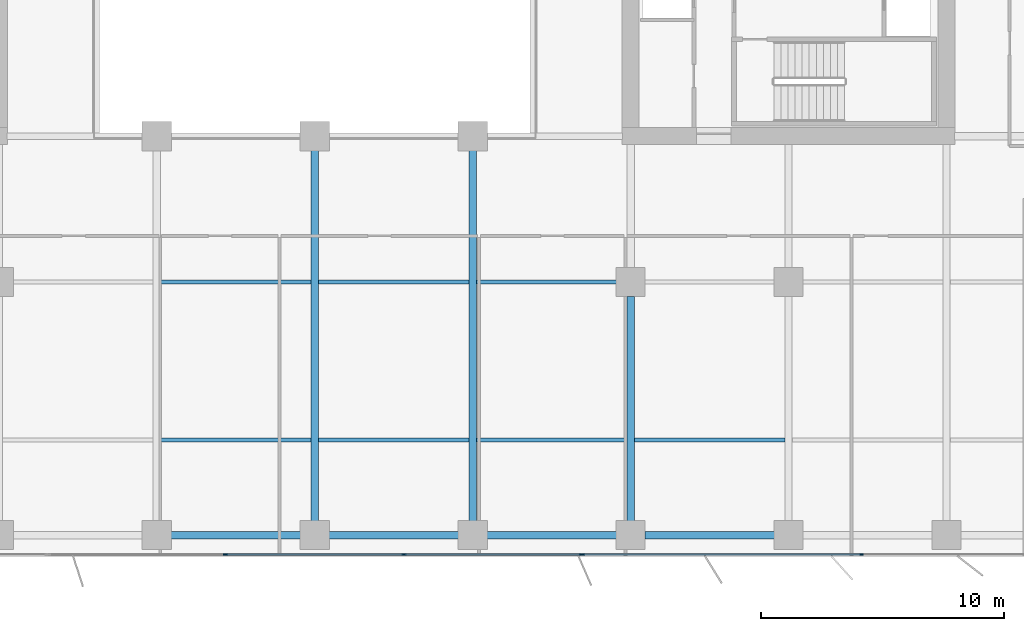
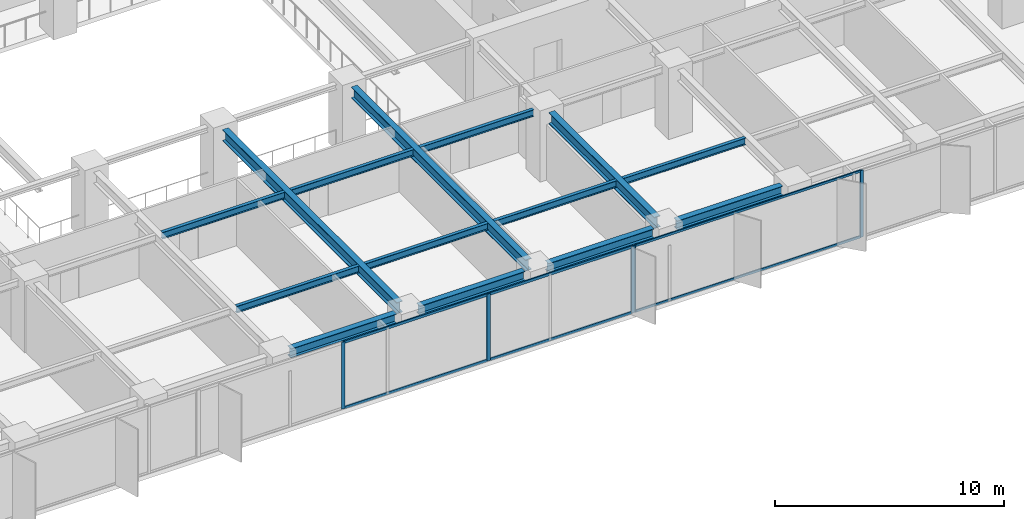
# One storey, part 5 of 20: 14 beams, 11 members, 2 elements without a shape of their own.
"""IFC4 building model written with IfcOpenShell, lengths in metres."""

from ifc_helpers import new_model, si_unit, direction, frame, origin, origin_2d, place, context, subcontext, project, spatial, rectangle, i_section, extrude, material, layer, layer_set, material_profile, profile_set, type_object, element, aggregate, save


model = new_model("IFC4")

# Units and contexts
model_context = context("Model", 3, precision=1e-05, world=origin(), true_north=direction((0.0, 1.0)))
body_context = subcontext(model_context, "Body", "Model", "MODEL_VIEW")
ifc_project = project(units=[si_unit("LENGTHUNIT", "METRE"), si_unit("AREAUNIT", "SQUARE_METRE"), si_unit("VOLUMEUNIT", "CUBIC_METRE"), si_unit("PLANEANGLEUNIT", "RADIAN"), si_unit("MASSUNIT", "GRAM", prefix="KILO")], contexts=[model_context])

# Site, building, storey
site_placement = place(None, origin())
site = spatial("IfcSite", under=ifc_project, at=site_placement, CompositionType="ELEMENT")
building_placement = place(site_placement, origin())
building = spatial("IfcBuilding", under=site, at=building_placement, Name="Putna Gate Headquarters", CompositionType="ELEMENT")
storey_placement = place(building_placement, frame((0.0, 0.0, 127.800048828125)))
storey = spatial("IfcBuildingStorey", under=building, at=storey_placement, Name="L31", CompositionType="ELEMENT", Elevation=127.800048828125)

# Beams
ifc_material_1 = material(Name="Steel S355J2", Category="steel")
ifc_material_profile_1 = material_profile(ifc_material_1, i_section(OverallWidth=0.300048828125, OverallDepth=0.60009765625, WebThickness=0.015380859375, FlangeThickness=0.030029296875, at=origin_2d()), Name="Steel S355J2")
ifc_profile_set_1 = profile_set([ifc_material_profile_1], Name="Steel S355J2")
beam_type_1 = type_object("IfcBeamType", Name="BM-GIRD-Z2-HEB600", PredefinedType="USERDEFINED", material=ifc_profile_set_1)
for number, where, z_axis, x_axis, name in (
    (1, (39.0, 3.16796875, 3.264892578125), (0.0, 1.0, 0.0), (-1.0, 0.0, 0.0), "L31 South Primary Girder X39"),
    (2, (45.5, 3.16796875, 3.264892578125), (0.0, 1.0, 0.0), (-1.0, 0.0, 0.0), "L31 South Primary Girder X45"),
):
    element("IfcBeam", number, at=place(storey_placement, frame(where, z_axis=z_axis, x_axis=x_axis)), inside=storey, type_object=beam_type_1, Name=name, ObjectType="GIRDER", PredefinedType="USERDEFINED", context=body_context, shape_type="SweptSolid", body=[
        extrude(i_section(OverallWidth=0.300048828125, OverallDepth=0.60009765625, WebThickness=0.015380859375, FlangeThickness=0.030029296875, at=origin_2d()), origin(), (0.0, 0.0, 1.0), 15.244140625),
    ])
beam_1_placement = place(storey_placement, frame((52.0, 3.16796875, 3.264892578125), z_axis=(0.0, 1.0, 0.0), x_axis=(-1.0, 0.0, 0.0)))
element("IfcBeam", 3, at=beam_1_placement, inside=storey, type_object=beam_type_1, Name="L31 South Primary Girder X52-1", ObjectType="GIRDER", PredefinedType="USERDEFINED", context=body_context, shape_type="SweptSolid", body=[
    extrude(i_section(OverallWidth=0.300048828125, OverallDepth=0.60009765625, WebThickness=0.015380859375, FlangeThickness=0.030029296875, at=origin_2d()), origin(), (0.0, 0.0, 1.0), 9.244140625),
])
ifc_material_profile_2 = material_profile(ifc_material_1, i_section(OverallWidth=0.169921875, OverallDepth=0.360107421875, WebThickness=0.008056640625, FlangeThickness=0.0126953125, at=origin_2d()), Name="Steel S355J2")
ifc_profile_set_2 = profile_set([ifc_material_profile_2], Name="Steel S355J2")
beam_type_2 = type_object("IfcBeamType", Name="BM-SEC-Z2-IPE360", PredefinedType="BEAM", material=ifc_profile_set_2)
for number, where, z_axis, x_axis, name in (
    (4, (32.654052734375, 6.5, 3.385009765625), (1.0, 0.0, 0.0), (0.0, 1.0, 0.0), "L31 South Secondary Beam 5"),
    (5, (32.654052734375, 13.0, 3.385009765625), (1.0, 0.0, 0.0), (0.0, 1.0, 0.0), "L31 South Secondary Beam 5"),
    (6, (39.154052734375, 6.5, 3.385009765625), (1.0, 0.0, 0.0), (0.0, 1.0, 0.0), "L31 South Secondary Beam 6"),
    (7, (39.154052734375, 13.0, 3.385009765625), (1.0, 0.0, 0.0), (0.0, 1.0, 0.0), "L31 South Secondary Beam 6"),
    (8, (45.654052734375, 6.5, 3.385009765625), (1.0, 0.0, 0.0), (0.0, 1.0, 0.0), "L31 South Secondary Beam 7"),
):
    element("IfcBeam", number, at=place(storey_placement, frame(where, z_axis=z_axis, x_axis=x_axis)), inside=storey, type_object=beam_type_2, Name=name, PredefinedType="BEAM", context=body_context, shape_type="SweptSolid", body=[
        extrude(i_section(OverallWidth=0.169921875, OverallDepth=0.360107421875, WebThickness=0.008056640625, FlangeThickness=0.0126953125, at=origin_2d()), origin(), (0.0, 0.0, 1.0), 6.19189453125),
    ])
beam_2_placement = place(storey_placement, frame((45.654052734375, 13.0, 3.385009765625), z_axis=(1.0, 0.0, 0.0), x_axis=(0.0, 1.0, 0.0)))
element("IfcBeam", 9, at=beam_2_placement, inside=storey, type_object=beam_type_2, Name="L31 South Secondary Beam 7", PredefinedType="BEAM", context=body_context, shape_type="SweptSolid", body=[
    extrude(i_section(OverallWidth=0.169921875, OverallDepth=0.360107421875, WebThickness=0.008056640625, FlangeThickness=0.0126953125, at=origin_2d()), origin(), (0.0, 0.0, 1.0), 5.758056640625),
])
beam_3_placement = place(storey_placement, frame((52.154052734375, 6.5, 3.385009765625), z_axis=(1.0, 0.0, 0.0), x_axis=(0.0, 1.0, 0.0)))
element("IfcBeam", 10, at=beam_3_placement, inside=storey, type_object=beam_type_2, Name="L31 South Secondary Beam 8", PredefinedType="BEAM", context=body_context, shape_type="SweptSolid", body=[
    extrude(i_section(OverallWidth=0.169921875, OverallDepth=0.360107421875, WebThickness=0.008056640625, FlangeThickness=0.0126953125, at=origin_2d()), origin(), (0.0, 0.0, 1.0), 6.19189453125),
])
ifc_material_profile_3 = material_profile(ifc_material_1, i_section(OverallWidth=0.300048828125, OverallDepth=0.489990234375, WebThickness=0.011962890625, FlangeThickness=0.02294921875, at=origin_2d()), Name="Steel S355J2")
ifc_profile_set_3 = profile_set([ifc_material_profile_3], Name="Steel S355J2")
beam_type_3 = type_object("IfcBeamType", Name="BM-SPAN-Z2-HEA500", PredefinedType="SPANDREL", material=ifc_profile_set_3)
for number, where, z_axis, x_axis, name in (
    (11, (33.087890625, 2.580078125, 3.320068359375), (1.0, 0.0, 0.0), (0.0, 1.0, 0.0), "L31 S Perimeter Spandrel 5"),
    (12, (39.587890625, 2.580078125, 3.320068359375), (1.0, 0.0, 0.0), (0.0, 1.0, 0.0), "L31 S Perimeter Spandrel 6"),
    (13, (46.087890625, 2.580078125, 3.320068359375), (1.0, 0.0, 0.0), (0.0, 1.0, 0.0), "L31 S Perimeter Spandrel 7"),
    (14, (52.587890625, 2.580078125, 3.320068359375), (1.0, 0.0, 0.0), (0.0, 1.0, 0.0), "L31 S Perimeter Spandrel 8"),
):
    element("IfcBeam", number, at=place(storey_placement, frame(where, z_axis=z_axis, x_axis=x_axis)), inside=storey, type_object=beam_type_3, Name=name, PredefinedType="SPANDREL", context=body_context, shape_type="SweptSolid", body=[
        extrude(i_section(OverallWidth=0.300048828125, OverallDepth=0.489990234375, WebThickness=0.011962890625, FlangeThickness=0.02294921875, at=origin_2d()), origin(), (0.0, 0.0, 1.0), 5.32421875),
    ])

# Curtain wall, members
ifc_material_2 = material(Name="Anodised bronze aluminium curtain wall", Category="aluminium")
ifc_layer_1 = layer(ifc_material_2, 0.159912109375)
ifc_layer_set_1 = layer_set([ifc_layer_1], Name="Anodised bronze aluminium curtain wall")
curtain_wall_type_1 = type_object("IfcCurtainWallType", Name="CW-SYS-Z2", PredefinedType="USERDEFINED", material=ifc_layer_set_1)
curtain_wall_1_placement = place(storey_placement, origin())
curtain_wall_1 = element("IfcCurtainWall", 15, at=curtain_wall_1_placement, inside=storey, type_object=curtain_wall_type_1, Name="L31 South East Curtain Wall", ObjectType="STICK CURTAIN WALL", PredefinedType="USERDEFINED")
ifc_material_3 = material(Name="Anodised bronze aluminium EN AW-6060", Category="aluminium")
ifc_material_profile_4 = material_profile(ifc_material_3, rectangle(XDim=0.06494140625, YDim=0.159912109375, at=origin_2d()), Name="Anodised bronze aluminium EN AW-6060")
ifc_profile_set_4 = profile_set([ifc_material_profile_4], Name="Anodised bronze aluminium EN AW-6060")
member_type_1 = type_object("IfcMemberType", Name="MULL-CWM-2", PredefinedType="MULLION", material=ifc_profile_set_4)
member_1_placement = place(storey_placement, frame((50.032470703125, 1.780029296875, 0.0), z_axis=(0.0, 0.0, 1.0), x_axis=(0.0, 1.0, 0.0)))
member_1 = element("IfcMember", 16, at=member_1_placement, type_object=member_type_1, Name="CWS-2 mullion 1", PredefinedType="MULLION", context=body_context, shape_type="SweptSolid", body=[
    extrude(rectangle(XDim=0.06494140625, YDim=0.159912109375, at=origin_2d()), origin(), (0.0, 0.0, 1.0), 3.56494140625),
])
member_2_placement = place(storey_placement, frame((61.5, 1.780029296875, 0.0), z_axis=(0.0, 0.0, 1.0), x_axis=(0.0, 1.0, 0.0)))
member_2 = element("IfcMember", 17, at=member_2_placement, type_object=member_type_1, Name="CWS-2 mullion 2", PredefinedType="MULLION", context=body_context, shape_type="SweptSolid", body=[
    extrude(rectangle(XDim=0.06494140625, YDim=0.159912109375, at=origin_2d()), origin(), (0.0, 0.0, 1.0), 3.56494140625),
])

ifc_layer_2 = layer(ifc_material_2, 0.179931640625)
ifc_layer_set_2 = layer_set([ifc_layer_2], Name="Anodised bronze aluminium curtain wall")
curtain_wall_type_2 = type_object("IfcCurtainWallType", Name="CW-SYS-ATR", PredefinedType="USERDEFINED", material=ifc_layer_set_2)
curtain_wall_2_placement = place(storey_placement, origin())
curtain_wall_2 = element("IfcCurtainWall", 18, at=curtain_wall_2_placement, inside=storey, type_object=curtain_wall_type_2, Name="L31 South Atrium Clear Glazing", ObjectType="ATRIUM GLAZING", PredefinedType="USERDEFINED")
ifc_material_profile_5 = material_profile(ifc_material_3, rectangle(XDim=0.070068359375, YDim=0.179931640625, at=origin_2d()), Name="Anodised bronze aluminium EN AW-6060")
ifc_profile_set_5 = profile_set([ifc_material_profile_5], Name="Anodised bronze aluminium EN AW-6060")
member_type_2 = type_object("IfcMemberType", Name="MULL-CWM-AT", PredefinedType="MULLION", material=ifc_profile_set_5)
member_3_placement = place(storey_placement, frame((35.333251953125, 1.780029296875, 0.0), z_axis=(0.0, 0.0, 1.0), x_axis=(0.0, 1.0, 0.0)))
member_3 = element("IfcMember", 19, at=member_3_placement, type_object=member_type_2, Name="CWS-AT mullion 2", PredefinedType="MULLION", context=body_context, shape_type="SweptSolid", body=[
    extrude(rectangle(XDim=0.070068359375, YDim=0.179931640625, at=origin_2d()), origin(), (0.0, 0.0, 1.0), 3.56494140625),
])
member_4_placement = place(storey_placement, frame((42.666748046875, 1.780029296875, 0.0), z_axis=(0.0, 0.0, 1.0), x_axis=(0.0, 1.0, 0.0)))
member_4 = element("IfcMember", 20, at=member_4_placement, type_object=member_type_2, Name="CWS-AT mullion 3", PredefinedType="MULLION", context=body_context, shape_type="SweptSolid", body=[
    extrude(rectangle(XDim=0.070068359375, YDim=0.179931640625, at=origin_2d()), origin(), (0.0, 0.0, 1.0), 3.56494140625),
])
member_5_placement = place(storey_placement, frame((49.965087890625, 1.780029296875, 0.0), z_axis=(0.0, 0.0, 1.0), x_axis=(0.0, 1.0, 0.0)))
member_5 = element("IfcMember", 21, at=member_5_placement, type_object=member_type_2, Name="CWS-AT mullion 4", PredefinedType="MULLION", context=body_context, shape_type="SweptSolid", body=[
    extrude(rectangle(XDim=0.070068359375, YDim=0.179931640625, at=origin_2d()), origin(), (0.0, 0.0, 1.0), 3.56494140625),
])

# Member
ifc_material_profile_6 = material_profile(ifc_material_3, rectangle(XDim=0.06494140625, YDim=0.1201171875, at=origin_2d()), Name="Anodised bronze aluminium EN AW-6060")
ifc_profile_set_6 = profile_set([ifc_material_profile_6], Name="Anodised bronze aluminium EN AW-6060")
member_type_3 = type_object("IfcMemberType", Name="TRAN-CWT-2", PredefinedType="USERDEFINED", material=ifc_profile_set_6)
member_6_placement = place(storey_placement, frame((50.06494140625, 1.780029296875, 0.032470703125), z_axis=(1.0, 0.0, 0.0), x_axis=(0.0, 1.0, 0.0)))
member_6 = element("IfcMember", 22, at=member_6_placement, type_object=member_type_3, Name="CWS-2 transom 1.1", ObjectType="TRANSOM", PredefinedType="USERDEFINED", context=body_context, shape_type="SweptSolid", body=[
    extrude(rectangle(XDim=0.06494140625, YDim=0.1201171875, at=origin_2d()), origin(), (0.0, 0.0, 1.0), 11.402587890625),
])

member_7_placement = place(storey_placement, frame((50.06494140625, 1.780029296875, 3.532470703125), z_axis=(1.0, 0.0, 0.0), x_axis=(0.0, 1.0, 0.0)))
member_7 = element("IfcMember", 23, at=member_7_placement, type_object=member_type_3, Name="CWS-2 transom 1.2", ObjectType="TRANSOM", PredefinedType="USERDEFINED", context=body_context, shape_type="SweptSolid", body=[
    extrude(rectangle(XDim=0.06494140625, YDim=0.1201171875, at=origin_2d()), origin(), (0.0, 0.0, 1.0), 11.402587890625),
])

aggregate(curtain_wall_1, [member_1, member_2, member_6, member_7])

ifc_material_profile_7 = material_profile(ifc_material_3, rectangle(XDim=0.070068359375, YDim=0.139892578125, at=origin_2d()), Name="Anodised bronze aluminium EN AW-6060")
ifc_profile_set_7 = profile_set([ifc_material_profile_7], Name="Anodised bronze aluminium EN AW-6060")
member_type_4 = type_object("IfcMemberType", Name="TRAN-CWT-AT", PredefinedType="USERDEFINED", material=ifc_profile_set_7)
member_8_placement = place(storey_placement, frame((35.368408203125, 1.780029296875, 0.034912109375), z_axis=(1.0, 0.0, 0.0), x_axis=(0.0, 1.0, 0.0)))
member_8 = element("IfcMember", 24, at=member_8_placement, type_object=member_type_4, Name="CWS-AT transom 2.1", ObjectType="TRANSOM", PredefinedType="USERDEFINED", context=body_context, shape_type="SweptSolid", body=[
    extrude(rectangle(XDim=0.070068359375, YDim=0.139892578125, at=origin_2d()), origin(), (0.0, 0.0, 1.0), 7.26318359375),
])

member_9_placement = place(storey_placement, frame((35.368408203125, 1.780029296875, 3.530029296875), z_axis=(1.0, 0.0, 0.0), x_axis=(0.0, 1.0, 0.0)))
member_9 = element("IfcMember", 25, at=member_9_placement, type_object=member_type_4, Name="CWS-AT transom 2.2", ObjectType="TRANSOM", PredefinedType="USERDEFINED", context=body_context, shape_type="SweptSolid", body=[
    extrude(rectangle(XDim=0.070068359375, YDim=0.139892578125, at=origin_2d()), origin(), (0.0, 0.0, 1.0), 7.26318359375),
])

member_10_placement = place(storey_placement, frame((42.70166015625, 1.780029296875, 0.034912109375), z_axis=(1.0, 0.0, 0.0), x_axis=(0.0, 1.0, 0.0)))
member_10 = element("IfcMember", 26, at=member_10_placement, type_object=member_type_4, Name="CWS-AT transom 3.1", ObjectType="TRANSOM", PredefinedType="USERDEFINED", context=body_context, shape_type="SweptSolid", body=[
    extrude(rectangle(XDim=0.070068359375, YDim=0.139892578125, at=origin_2d()), origin(), (0.0, 0.0, 1.0), 7.228271484375),
])

member_11_placement = place(storey_placement, frame((42.70166015625, 1.780029296875, 3.530029296875), z_axis=(1.0, 0.0, 0.0), x_axis=(0.0, 1.0, 0.0)))
member_11 = element("IfcMember", 27, at=member_11_placement, type_object=member_type_4, Name="CWS-AT transom 3.2", ObjectType="TRANSOM", PredefinedType="USERDEFINED", context=body_context, shape_type="SweptSolid", body=[
    extrude(rectangle(XDim=0.070068359375, YDim=0.139892578125, at=origin_2d()), origin(), (0.0, 0.0, 1.0), 7.228271484375),
])

aggregate(curtain_wall_2, [member_3, member_4, member_5, member_8, member_9, member_10, member_11])

save(model, "model.ifc")
